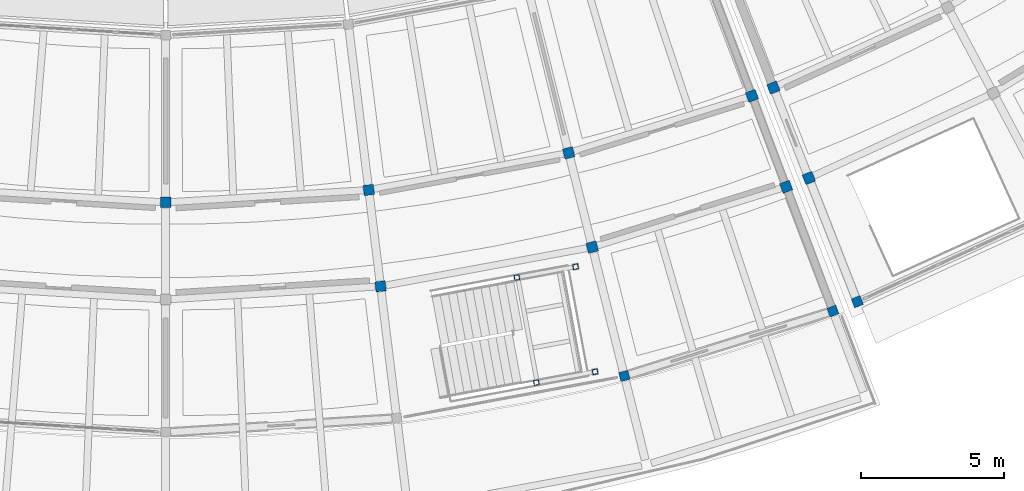
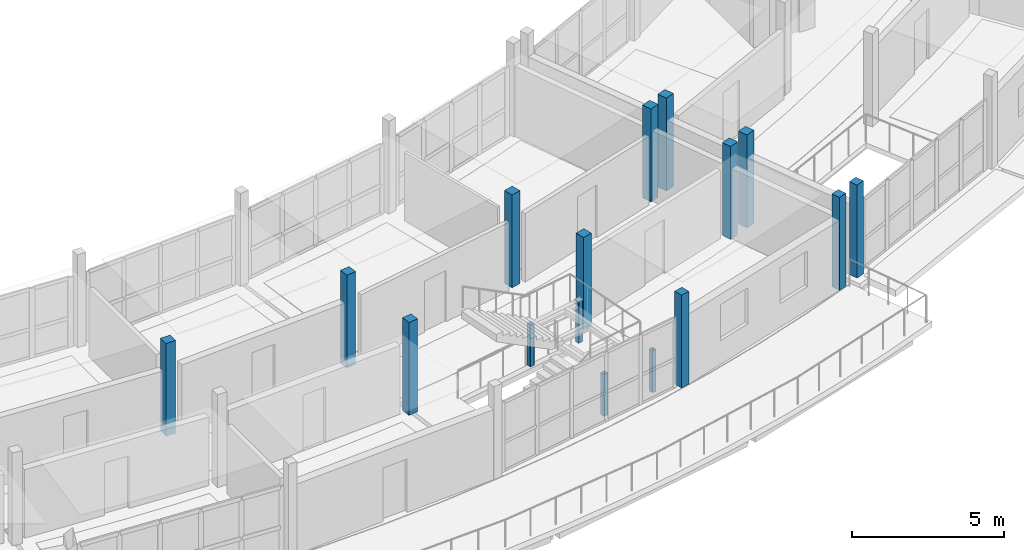
# One storey, part 4 of 24: 16 columns.
"""IFC4 building model written with IfcOpenShell, lengths in metres."""

from ifc_helpers import new_model, si_unit, direction, frame, origin, origin_2d, place, context, subcontext, project, spatial, rectangle, hollow_rectangle, extrude, material, material_profile, profile_set, type_object, element, save


model = new_model("IFC4")

# Units and contexts
model_context = context("Model", 3, precision=1e-05, world=origin(), true_north=direction((0.0, 1.0)))
body_context = subcontext(model_context, "Body", "Model", "MODEL_VIEW")
ifc_project = project(units=[si_unit("LENGTHUNIT", "METRE"), si_unit("AREAUNIT", "SQUARE_METRE"), si_unit("VOLUMEUNIT", "CUBIC_METRE"), si_unit("PLANEANGLEUNIT", "RADIAN"), si_unit("MASSUNIT", "GRAM", prefix="KILO")], contexts=[model_context])

# Site, building, storey
site_placement = place(None, origin())
site = spatial("IfcSite", under=ifc_project, at=site_placement, CompositionType="ELEMENT")
building_placement = place(site_placement, origin())
building = spatial("IfcBuilding", under=site, at=building_placement, Name="Caldaven Crescent School", CompositionType="ELEMENT")
storey_placement = place(building_placement, frame((0.0, 0.0, 15.639892578125)))
storey = spatial("IfcBuildingStorey", under=building, at=storey_placement, Name="L04", CompositionType="ELEMENT", Elevation=15.639892578125)

# Columns
ifc_material_1 = material(Name="Glulam MLE24h (GL28h)", Category="wood")
ifc_material_profile_1 = material_profile(ifc_material_1, rectangle(XDim=0.330078125, YDim=0.330078125, at=origin_2d()), Name="MLE 330x330")
ifc_profile_set_1 = profile_set([ifc_material_profile_1], Name="Glulam MLE24h (GL28h)")
column_type_1 = type_object("IfcColumnType", Name="COL-GL33", PredefinedType="COLUMN", material=ifc_profile_set_1)
for number, where, z_axis, x_axis, name in (
    (1, (104.051513671875, 31.620849609375, 0.0), (0.0, 0.0, 1.0), (0.2419218956, -0.970295726276, 0.0), "COL-V5-L04-05-3"),
    (2, (111.3505859375, 33.894775390625, 0.0), (0.0, 0.0, 1.0), (0.352005016254, -0.93599811353, 0.0), "COL-V5-L04-06-3"),
    (3, (112.20361328125, 34.22216796875, 0.0), (0.0, 0.0, 1.0), (0.364714278886, -0.931119484694, 0.0), "COL-V4E-L04-00-3"),
):
    element("IfcColumn", number, at=place(storey_placement, frame(where, z_axis=z_axis, x_axis=x_axis)), inside=storey, type_object=column_type_1, Name=name, PredefinedType="COLUMN", context=body_context, shape_type="SweptSolid", body=[
        extrude(rectangle(XDim=0.330078125, YDim=0.330078125, at=origin_2d()), origin(), (0.0, 0.0, 1.0), 3.739990234375),
    ])
ifc_material_profile_2 = material_profile(ifc_material_1, rectangle(XDim=0.360107421875, YDim=0.360107421875, at=origin_2d()), Name="MLE 360x360")
ifc_profile_set_2 = profile_set([ifc_material_profile_2], Name="Glulam MLE24h (GL28h)")
column_type_2 = type_object("IfcColumnType", Name="COL-GL36", PredefinedType="COLUMN", material=ifc_profile_set_2)
for number, where, z_axis, x_axis, name in (
    (4, (88.0, 37.699951171875, 0.0), (0.0, 0.0, 1.0), (0.0, -1.0, 0.0), "COL-V5-L04-03-1"),
    (5, (95.10498046875, 38.134521484375, 0.0), (0.0, 0.0, 1.0), (0.121869343405, -0.992546151641, 0.0), "COL-V5-L04-04-1"),
    (6, (95.519287109375, 34.760009765625, 0.0), (0.0, 0.0, 1.0), (0.121869343405, -0.992546151641, 0.0), "COL-V5-L04-04-2"),
    (7, (102.10400390625, 39.431640625, 0.0), (0.0, 0.0, 1.0), (0.2419218956, -0.970295726276, 0.0), "COL-V5-L04-05-1"),
    (8, (102.926513671875, 36.1328125, 0.0), (0.0, 0.0, 1.0), (0.2419218956, -0.970295726276, 0.0), "COL-V5-L04-05-2"),
    (9, (108.517578125, 41.4296875, 0.0), (0.0, 0.0, 1.0), (0.352005016254, -0.93599811353, 0.0), "COL-V5-L04-06-1"),
    (10, (109.714111328125, 38.247314453125, 0.0), (0.0, 0.0, 1.0), (0.352005016254, -0.93599811353, 0.0), "COL-V5-L04-06-2"),
    (11, (109.26708984375, 41.71728515625, 0.0), (0.0, 0.0, 1.0), (0.364714278886, -0.931119484694, 0.0), "COL-V4E-L04-00-1"),
    (12, (110.50732421875, 38.5517578125, 0.0), (0.0, 0.0, 1.0), (0.364714278886, -0.931119484694, 0.0), "COL-V4E-L04-00-2"),
):
    element("IfcColumn", number, at=place(storey_placement, frame(where, z_axis=z_axis, x_axis=x_axis)), inside=storey, type_object=column_type_2, Name=name, PredefinedType="COLUMN", context=body_context, shape_type="SweptSolid", body=[
        extrude(rectangle(XDim=0.360107421875, YDim=0.360107421875, at=origin_2d()), origin(), (0.0, 0.0, 1.0), 3.739990234375),
    ])
ifc_material_2 = material(Name="Steel ASTM A572 Grade 50", Category="steel")
ifc_material_profile_3 = material_profile(ifc_material_2, hollow_rectangle(XDim=0.179931640625, YDim=0.179931640625, WallThickness=0.010009765625, InnerFilletRadius=0.010009765625, OuterFilletRadius=0.02001953125, at=origin_2d()), Name="HSS 180x180x10")
ifc_profile_set_3 = profile_set([ifc_material_profile_3], Name="Steel ASTM A572 Grade 50")
column_type_3 = type_object("IfcColumnType", Name="COL-HS18", PredefinedType="COLUMN", material=ifc_profile_set_3)
for number, where, z_axis, x_axis, name in (
    (13, (100.97119140625, 31.391845703125, 0.0), (0.0, 0.0, 1.0), (0.983254907564, 0.182235525492, 0.0), "COL-STPOST-ST3-L04-A"),
    (14, (100.28955078125, 35.0693359375, 0.0), (0.0, 0.0, 1.0), (0.983254907564, 0.182235525492, 0.0), "COL-STPOST-ST3-L04-B"),
    (15, (103.026123046875, 31.772705078125, 0.0), (0.0, 0.0, 1.0), (0.983254907564, 0.182235525492, 0.0), "COL-STPOST-ST3-L04-C"),
    (16, (102.344482421875, 35.4501953125, 0.0), (0.0, 0.0, 1.0), (0.983254907564, 0.182235525492, 0.0), "COL-STPOST-ST3-L04-D"),
):
    element("IfcColumn", number, at=place(storey_placement, frame(where, z_axis=z_axis, x_axis=x_axis)), inside=storey, type_object=column_type_3, Name=name, PredefinedType="COLUMN", context=body_context, shape_type="SweptSolid", body=[
        extrude(hollow_rectangle(XDim=0.179931640625, YDim=0.179931640625, WallThickness=0.010009765625, InnerFilletRadius=0.010009765625, OuterFilletRadius=0.02001953125, at=origin_2d()), origin(), (0.0, 0.0, 1.0), 1.675048828125),
    ])

save(model, "model.ifc")
